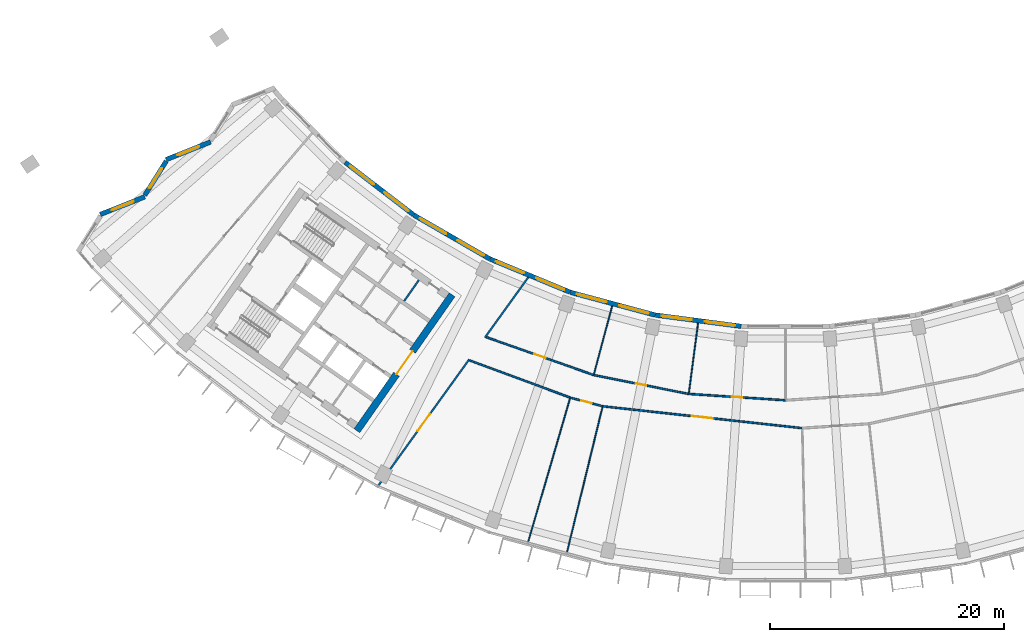
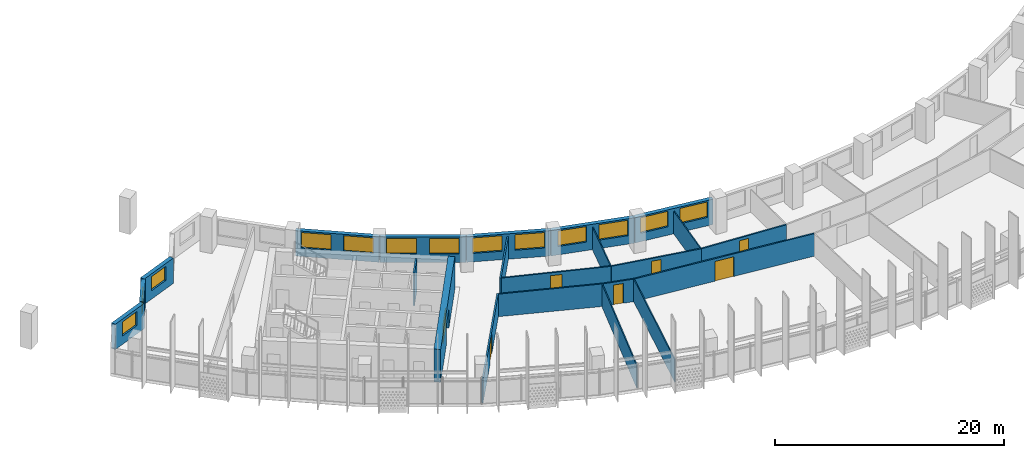
# One storey, part 4 of 26: 22 walls, 13 windows, 7 doors, 20 openings.
"""IFC4 building model written with IfcOpenShell, lengths in metres."""

from ifc_helpers import new_model, si_unit, direction, frame, frame_2d, origin, place, context, subcontext, project, spatial, rectangle, extrude, material, layer, layer_set, type_object, element, fill, save


model = new_model("IFC4")

# Units and contexts
model_context = context("Model", 3, precision=1e-05, world=origin(), true_north=direction((0.0, 1.0)))
body_context = subcontext(model_context, "Body", "Model", "MODEL_VIEW")
ifc_project = project(units=[si_unit("LENGTHUNIT", "METRE"), si_unit("AREAUNIT", "SQUARE_METRE"), si_unit("VOLUMEUNIT", "CUBIC_METRE"), si_unit("PLANEANGLEUNIT", "RADIAN"), si_unit("MASSUNIT", "GRAM", prefix="KILO")], contexts=[model_context])

# Site, building, storey
site_placement = place(None, origin())
site = spatial("IfcSite", under=ifc_project, at=site_placement, CompositionType="ELEMENT")
building_placement = place(site_placement, origin())
building = spatial("IfcBuilding", under=site, at=building_placement, Name="Qamariyya Broadcast Tower", CompositionType="ELEMENT")
storey_placement = place(building_placement, frame((0.0, 0.0, 156.89990234375)))
storey = spatial("IfcBuildingStorey", under=building, at=storey_placement, Name="L36", CompositionType="ELEMENT", Elevation=156.89990234375)

# Wall, opening, door
ifc_material_1 = material(Name="Concrete C60/75", Category="concrete")
ifc_layer_1 = layer(ifc_material_1, 0.60009765625)
ifc_layer_set_1 = layer_set([ifc_layer_1], Name="Core wall 600 mm Concrete C60/75")
wall_type_1 = type_object("IfcWallType", Name="Core wall 600 mm Concrete C60/75", PredefinedType="SHEAR", material=ifc_layer_set_1)
wall_1_placement = place(storey_placement, frame((-36.66748046875, -66.005126953125, 0.0), z_axis=(0.0, 0.0, 1.0), x_axis=(0.573568499524, 0.819157601658, 0.0)))
wall_1 = element("IfcWall", 1, at=wall_1_placement, inside=storey, type_object=wall_type_1, Name="k-W-L36-WA", PredefinedType="SHEAR", context=body_context, shape_type="SweptSolid", body=[
    extrude(rectangle(XDim=14.19970703125, YDim=0.60009765625, at=frame_2d((7.099853515625, 0.0))), origin(), (0.0, 0.0, 1.0), 3.5),
])
opening_1_placement = place(wall_1_placement, frame((5.89990234375, 0.0, 0.0)))
opening_1 = element("IfcOpeningElement", 2, at=opening_1_placement, cuts=wall_1, Name="Opening KD3-W1", PredefinedType="OPENING", context=body_context, shape_type="SweptSolid", body=[
    extrude(rectangle(XDim=2.39990234375, YDim=2.10009765625, at=frame_2d((1.199951171875, 1.050048828125))), frame((0.0, 0.31005859375, 0.0), z_axis=(0.0, -1.0, 0.0), x_axis=(1.0, 0.0, 0.0)), (0.0, 0.0, 1.0), 0.6201171875),
])
ifc_material_2 = material(Name="Steel fire-resisting door leaf", Category="steel")
door_type_1 = type_object("IfcDoorType", Name="Lift lobby door KD3", OperationType="DOUBLE_DOOR_SINGLE_SWING", PredefinedType="DOOR", material=ifc_material_2)
door_1_placement = place(opening_1_placement, origin())
door_1 = element("IfcDoor", 3, at=door_1_placement, inside=storey, type_object=door_type_1, Name="k-W-L36-WA-D1", OperationType="DOUBLE_DOOR_SINGLE_SWING", OverallHeight=2.10009765625, OverallWidth=2.39990234375, PredefinedType="DOOR", context=body_context, shape_type="SweptSolid", body=[
    extrude(rectangle(XDim=2.39990234375, YDim=2.10009765625, at=frame_2d((1.199951171875, 1.050048828125))), frame((0.0, 0.02490234375, 0.0), z_axis=(0.0, -1.0, 0.0), x_axis=(1.0, 0.0, 0.0)), (0.0, 0.0, 1.0), 0.050048828125),
])
fill(opening_1, door_1)

ifc_material_3 = material(Name="Gypsum board partition")
ifc_layer_2 = layer(ifc_material_3, 0.14990234375)
ifc_layer_set_2 = layer_set([ifc_layer_2], Name="Corridor partition 150 EI 60")
wall_type_2 = type_object("IfcWallType", Name="Corridor partition 150 EI 60", PredefinedType="PARTITIONING", material=ifc_layer_set_2)
wall_2_placement = place(storey_placement, frame((-27.056884765625, -59.899169921875, 0.0), z_axis=(0.0, 0.0, 1.0), x_axis=(-0.584166374063, -0.81163393683, 0.0)))
wall_2 = element("IfcWall", 4, at=wall_2_placement, inside=storey, type_object=wall_type_2, Name="Partition L36-002", PredefinedType="PARTITIONING", context=body_context, shape_type="SweptSolid", body=[
    extrude(rectangle(XDim=13.296142578125, YDim=0.14990234375, at=frame_2d((6.64794921875, 0.0))), origin(), (0.0, 0.0, 1.0), 2.400146484375),
])
opening_2_placement = place(wall_2_placement, frame((5.748046875, 0.0, 0.0)))
opening_2 = element("IfcOpeningElement", 5, at=opening_2_placement, cuts=wall_2, Name="Opening L36-D01", PredefinedType="OPENING", context=body_context, shape_type="SweptSolid", body=[
    extrude(rectangle(XDim=1.800048828125, YDim=2.10009765625, at=frame_2d((0.89990234375, 1.050048828125))), frame((0.0, 0.0849609375, 0.0), z_axis=(0.0, -1.0, 0.0), x_axis=(1.0, 0.0, 0.0)), (0.0, 0.0, 1.0), 0.169921875),
])
ifc_material_4 = material(Name="Timber fire door leaf", Category="wood")
door_type_2 = type_object("IfcDoorType", Name="Double fire door 1800 x 2100 FD60", OperationType="NOTDEFINED", PredefinedType="DOOR", material=ifc_material_4)
door_2_placement = place(opening_2_placement, origin())
door_2 = element("IfcDoor", 6, at=door_2_placement, inside=storey, type_object=door_type_2, Name="Door L36-D01", OperationType="DOUBLE_DOOR_SINGLE_SWING", OverallHeight=2.10009765625, OverallWidth=1.800048828125, PredefinedType="DOOR", context=body_context, shape_type="SweptSolid", body=[
    extrude(rectangle(XDim=1.800048828125, YDim=2.10009765625, at=frame_2d((0.89990234375, 1.050048828125))), frame((0.0, 0.02490234375, 0.0), z_axis=(0.0, -1.0, 0.0), x_axis=(1.0, 0.0, 0.0)), (0.0, 0.0, 1.0), 0.050048828125),
])
fill(opening_2, door_2)

# Wall
wall_3_placement = place(storey_placement, frame((-27.0302734375, -59.98583984375, 0.0), z_axis=(0.0, 0.0, 1.0), x_axis=(0.93796819355, -0.346721311557, 0.0)))
element("IfcWall", 7, at=wall_3_placement, inside=storey, type_object=wall_type_2, Name="Partition L36-003", PredefinedType="PARTITIONING", context=body_context, shape_type="SweptSolid", body=[
    extrude(rectangle(XDim=9.185546875, YDim=0.14990234375, at=frame_2d((4.5927734375, 0.0))), origin(), (0.0, 0.0, 1.0), 2.400146484375),
])

# Wall, opening, door
wall_4_placement = place(storey_placement, frame((-25.598388671875, -57.99609375, 0.0), z_axis=(0.0, 0.0, 1.0), x_axis=(0.942977382292, -0.332856810785, 0.0)))
wall_4 = element("IfcWall", 8, at=wall_4_placement, inside=storey, type_object=wall_type_2, Name="Partition L36-004", PredefinedType="PARTITIONING", context=body_context, shape_type="SweptSolid", body=[
    extrude(rectangle(XDim=9.744873046875, YDim=0.14990234375, at=frame_2d((4.87255859375, 0.0))), origin(), (0.0, 0.0, 1.0), 2.400146484375),
])
opening_3_placement = place(wall_4_placement, frame((4.37255859375, 0.0, 0.0)))
opening_3 = element("IfcOpeningElement", 9, at=opening_3_placement, cuts=wall_4, Name="Opening L36-D07", PredefinedType="OPENING", context=body_context, shape_type="SweptSolid", body=[
    extrude(rectangle(XDim=1.0, YDim=2.10009765625, at=frame_2d((0.5, 1.050048828125))), frame((0.0, 0.0849609375, 0.0), z_axis=(0.0, -1.0, 0.0), x_axis=(1.0, 0.0, 0.0)), (0.0, 0.0, 1.0), 0.169921875),
])
door_type_3 = type_object("IfcDoorType", Name="Fire door 1000 x 2100 FD60", OperationType="NOTDEFINED", PredefinedType="DOOR", material=ifc_material_4)
door_3_placement = place(opening_3_placement, origin())
door_3 = element("IfcDoor", 10, at=door_3_placement, inside=storey, type_object=door_type_3, Name="Door L36-D07", OperationType="SINGLE_SWING_RIGHT", OverallHeight=2.10009765625, OverallWidth=1.0, PredefinedType="DOOR", context=body_context, shape_type="SweptSolid", body=[
    extrude(rectangle(XDim=1.0, YDim=2.10009765625, at=frame_2d((0.5, 1.050048828125))), frame((0.0, 0.02490234375, 0.0), z_axis=(0.0, -1.0, 0.0), x_axis=(1.0, 0.0, 0.0)), (0.0, 0.0, 1.0), 0.050048828125),
])
fill(opening_3, door_3)

# Wall
wall_5_placement = place(storey_placement, frame((-22.0, -52.873046875, 0.0), z_axis=(0.0, 0.0, 1.0), x_axis=(-0.58417014289, -0.811631224236, 0.0)))
element("IfcWall", 11, at=wall_5_placement, inside=storey, type_object=wall_type_2, Name="Partition L36-006", PredefinedType="PARTITIONING", context=body_context, shape_type="SweptSolid", body=[
    extrude(rectangle(XDim=6.356201171875, YDim=0.14990234375, at=frame_2d((3.17822265625, 0.0))), origin(), (0.0, 0.0, 1.0), 2.400146484375),
])

# Wall, opening, door
wall_6_placement = place(storey_placement, frame((-15.637939453125, -63.914794921875, 0.0), z_axis=(0.0, 0.0, 1.0), x_axis=(-0.965912791771, 0.258867685687, 0.0)))
wall_6 = element("IfcWall", 12, at=wall_6_placement, inside=storey, type_object=wall_type_2, Name="Partition L36-008", PredefinedType="PARTITIONING", context=body_context, shape_type="SweptSolid", body=[
    extrude(rectangle(XDim=2.87451171875, YDim=0.14990234375, at=frame_2d((1.437255859375, 0.0))), origin(), (0.0, 0.0, 1.0), 2.400146484375),
])
opening_4_placement = place(wall_6_placement, frame((0.9873046875, 0.0, 0.0)))
opening_4 = element("IfcOpeningElement", 13, at=opening_4_placement, cuts=wall_6, Name="Opening L36-D02", PredefinedType="OPENING", context=body_context, shape_type="SweptSolid", body=[
    extrude(rectangle(XDim=0.89990234375, YDim=2.10009765625, at=frame_2d((0.449951171875, 1.050048828125))), frame((0.0, 0.0849609375, 0.0), z_axis=(0.0, -1.0, 0.0), x_axis=(1.0, 0.0, 0.0)), (0.0, 0.0, 1.0), 0.169921875),
])
door_type_4 = type_object("IfcDoorType", Name="Fire door 900 x 2100 FD60", OperationType="NOTDEFINED", PredefinedType="DOOR", material=ifc_material_4)
door_4_placement = place(opening_4_placement, origin())
door_4 = element("IfcDoor", 14, at=door_4_placement, inside=storey, type_object=door_type_4, Name="Door L36-D02", OperationType="SINGLE_SWING_RIGHT", OverallHeight=2.10009765625, OverallWidth=0.89990234375, PredefinedType="DOOR", context=body_context, shape_type="SweptSolid", body=[
    extrude(rectangle(XDim=0.89990234375, YDim=2.10009765625, at=frame_2d((0.449951171875, 1.050048828125))), frame((0.0, 0.02490234375, 0.0), z_axis=(0.0, -1.0, 0.0), x_axis=(1.0, 0.0, 0.0)), (0.0, 0.0, 1.0), 0.050048828125),
])
fill(opening_4, door_4)

wall_7_placement = place(storey_placement, frame((-16.4091796875, -61.23974609375, 0.0), z_axis=(0.0, 0.0, 1.0), x_axis=(0.98078508005, -0.195091329256, 0.0)))
wall_7 = element("IfcWall", 15, at=wall_7_placement, inside=storey, type_object=wall_type_2, Name="Partition L36-009", PredefinedType="PARTITIONING", context=body_context, shape_type="SweptSolid", body=[
    extrude(rectangle(XDim=8.293212890625, YDim=0.14990234375, at=frame_2d((4.146484375, 0.0))), origin(), (0.0, 0.0, 1.0), 2.400146484375),
])
opening_5_placement = place(wall_7_placement, frame((3.696533203125, 0.0, 0.0)))
opening_5 = element("IfcOpeningElement", 16, at=opening_5_placement, cuts=wall_7, Name="Opening L36-D08", PredefinedType="OPENING", context=body_context, shape_type="SweptSolid", body=[
    extrude(rectangle(XDim=0.89990234375, YDim=2.10009765625, at=frame_2d((0.449951171875, 1.050048828125))), frame((0.0, 0.0849609375, 0.0), z_axis=(0.0, -1.0, 0.0), x_axis=(1.0, 0.0, 0.0)), (0.0, 0.0, 1.0), 0.169921875),
])
door_5_placement = place(opening_5_placement, origin())
door_5 = element("IfcDoor", 17, at=door_5_placement, inside=storey, type_object=door_type_4, Name="Door L36-D08", OperationType="SINGLE_SWING_RIGHT", OverallHeight=2.10009765625, OverallWidth=0.89990234375, PredefinedType="DOOR", context=body_context, shape_type="SweptSolid", body=[
    extrude(rectangle(XDim=0.89990234375, YDim=2.10009765625, at=frame_2d((0.449951171875, 1.050048828125))), frame((0.0, 0.02490234375, 0.0), z_axis=(0.0, -1.0, 0.0), x_axis=(1.0, 0.0, 0.0)), (0.0, 0.0, 1.0), 0.050048828125),
])
fill(opening_5, door_5)

wall_8_placement = place(storey_placement, frame((1.437255859375, -65.7841796875, 0.0), z_axis=(0.0, 0.0, 1.0), x_axis=(-0.99406045317, 0.108829294966, 0.0)))
wall_8 = element("IfcWall", 18, at=wall_8_placement, inside=storey, type_object=wall_type_2, Name="Partition L36-010", PredefinedType="PARTITIONING", context=body_context, shape_type="SweptSolid", body=[
    extrude(rectangle(XDim=17.17724609375, YDim=0.14990234375, at=frame_2d((8.588623046875, 0.0))), origin(), (0.0, 0.0, 1.0), 2.400146484375),
])
opening_6_placement = place(wall_8_placement, frame((7.688720703125, 0.0, 0.0)))
opening_6 = element("IfcOpeningElement", 19, at=opening_6_placement, cuts=wall_8, Name="Opening L36-D03", PredefinedType="OPENING", context=body_context, shape_type="SweptSolid", body=[
    extrude(rectangle(XDim=1.800048828125, YDim=2.10009765625, at=frame_2d((0.89990234375, 1.050048828125))), frame((0.0, 0.0849609375, 0.0), z_axis=(0.0, -1.0, 0.0), x_axis=(1.0, 0.0, 0.0)), (0.0, 0.0, 1.0), 0.169921875),
])
door_6_placement = place(opening_6_placement, origin())
door_6 = element("IfcDoor", 20, at=door_6_placement, inside=storey, type_object=door_type_2, Name="Door L36-D03", OperationType="DOUBLE_DOOR_SINGLE_SWING", OverallHeight=2.10009765625, OverallWidth=1.800048828125, PredefinedType="DOOR", context=body_context, shape_type="SweptSolid", body=[
    extrude(rectangle(XDim=1.800048828125, YDim=2.10009765625, at=frame_2d((0.89990234375, 1.050048828125))), frame((0.0, 0.02490234375, 0.0), z_axis=(0.0, -1.0, 0.0), x_axis=(1.0, 0.0, 0.0)), (0.0, 0.0, 1.0), 0.050048828125),
])
fill(opening_6, door_6)

wall_9_placement = place(storey_placement, frame((-8.275390625, -62.857666015625, 0.0), z_axis=(0.0, 0.0, 1.0), x_axis=(0.997860193426, -0.065383747038, 0.0)))
wall_9 = element("IfcWall", 21, at=wall_9_placement, inside=storey, type_object=wall_type_2, Name="Partition L36-012", PredefinedType="PARTITIONING", context=body_context, shape_type="SweptSolid", body=[
    extrude(rectangle(XDim=8.293212890625, YDim=0.14990234375, at=frame_2d((4.146484375, 0.0))), origin(), (0.0, 0.0, 1.0), 2.400146484375),
])
opening_7_placement = place(wall_9_placement, frame((3.696533203125, 0.0, 0.0)))
opening_7 = element("IfcOpeningElement", 22, at=opening_7_placement, cuts=wall_9, Name="Opening L36-D09", PredefinedType="OPENING", context=body_context, shape_type="SweptSolid", body=[
    extrude(rectangle(XDim=0.89990234375, YDim=2.10009765625, at=frame_2d((0.449951171875, 1.050048828125))), frame((0.0, 0.0849609375, 0.0), z_axis=(0.0, -1.0, 0.0), x_axis=(1.0, 0.0, 0.0)), (0.0, 0.0, 1.0), 0.169921875),
])
door_7_placement = place(opening_7_placement, origin())
door_7 = element("IfcDoor", 23, at=door_7_placement, inside=storey, type_object=door_type_4, Name="Door L36-D09", OperationType="SINGLE_SWING_RIGHT", OverallHeight=2.10009765625, OverallWidth=0.89990234375, PredefinedType="DOOR", context=body_context, shape_type="SweptSolid", body=[
    extrude(rectangle(XDim=0.89990234375, YDim=2.10009765625, at=frame_2d((0.449951171875, 1.050048828125))), frame((0.0, 0.02490234375, 0.0), z_axis=(0.0, -1.0, 0.0), x_axis=(1.0, 0.0, 0.0)), (0.0, 0.0, 1.0), 0.050048828125),
])
fill(opening_7, door_7)

# Walls
ifc_material_5 = material(Name="Gypsum board partition on steel studs", Category="steel")
ifc_layer_3 = layer(ifc_material_5, 0.14990234375)
ifc_layer_set_3 = layer_set([ifc_layer_3], Name="Gypsum board partition 150 mm")
wall_type_3 = type_object("IfcWallType", Name="Gypsum board partition 150 mm", PredefinedType="PARTITIONING", material=ifc_layer_set_3)
wall_10_placement = place(storey_placement, frame((-32.627197265625, -54.91748046875, 0.0), z_axis=(0.0, 0.0, 1.0), x_axis=(0.573507030513, 0.819200638399, 0.0)))
element("IfcWall", 24, at=wall_10_placement, inside=storey, type_object=wall_type_3, Name="k-W-L36-NP275", PredefinedType="PARTITIONING", context=body_context, shape_type="SweptSolid", body=[
    extrude(rectangle(XDim=2.199951171875, YDim=0.14990234375, at=frame_2d((1.10009765625, 0.0))), origin(), (0.0, 0.0, 1.0), 3.5),
])
ifc_layer_4 = layer(ifc_material_3, 0.10009765625)
ifc_layer_set_4 = layer_set([ifc_layer_4], Name="Partition 100")
wall_type_4 = type_object("IfcWallType", Name="Partition 100", PredefinedType="PARTITIONING", material=ifc_layer_set_4)
wall_11_placement = place(storey_placement, frame((-22.010498046875, -75.507080078125, 0.0), z_axis=(0.0, 0.0, 1.0), x_axis=(0.279843682865, 0.960045578689, 0.0)))
element("IfcWall", 25, at=wall_11_placement, inside=storey, type_object=wall_type_4, Name="Partition L36-005", PredefinedType="PARTITIONING", context=body_context, shape_type="SweptSolid", body=[
    extrude(rectangle(XDim=12.77490234375, YDim=0.10009765625, at=frame_2d((6.387451171875, 0.0))), origin(), (0.0, 0.0, 1.0), 2.400146484375),
])
wall_12_placement = place(storey_placement, frame((-18.69189453125, -76.396240234375, 0.0), z_axis=(0.0, 0.0, 1.0), x_axis=(0.237667084027, 0.971346671982, 0.0)))
element("IfcWall", 26, at=wall_12_placement, inside=storey, type_object=wall_type_4, Name="Partition L36-007", PredefinedType="PARTITIONING", context=body_context, shape_type="SweptSolid", body=[
    extrude(rectangle(XDim=12.774658203125, YDim=0.10009765625, at=frame_2d((6.38720703125, 0.0))), origin(), (0.0, 0.0, 1.0), 2.400146484375),
])
for number, where, z_axis, x_axis, name in (
    (27, (-14.82470703125, -55.326171875, 0.0), (0.0, 0.0, 1.0), (-0.258793263352, -0.965932734119, 0.0), "Partition L36-011"),
    (28, (-7.476318359375, -56.787841796875, 0.0), (0.0, 0.0, 1.0), (-0.130526573864, -0.991444811129, 0.0), "Partition L36-013"),
):
    element("IfcWall", number, at=place(storey_placement, frame(where, z_axis=z_axis, x_axis=x_axis)), inside=storey, type_object=wall_type_4, Name=name, PredefinedType="PARTITIONING", context=body_context, shape_type="SweptSolid", body=[
        extrude(rectangle(XDim=6.047119140625, YDim=0.10009765625, at=frame_2d((3.0234375, 0.0))), origin(), (0.0, 0.0, 1.0), 2.400146484375),
    ])

# Wall, opening, window
ifc_material_6 = material(Name="Terracotta", Category="masonry")
ifc_layer_5 = layer(ifc_material_6, 0.39990234375)
ifc_layer_set_5 = layer_set([ifc_layer_5], Name="Terracotta clad wall 400")
wall_type_5 = type_object("IfcWallType", Name="Terracotta clad wall 400", PredefinedType="SOLIDWALL", material=ifc_layer_set_5)
wall_13_placement = place(storey_placement, frame((-49.18212890625, -41.295654296875, 0.0), z_axis=(0.0, 0.0, 1.0), x_axis=(-0.929605070415, -0.368557204596, 0.0)))
wall_13 = element("IfcWall", 29, at=wall_13_placement, inside=storey, type_object=wall_type_5, Name="e-wl-L36-capW2", PredefinedType="SOLIDWALL", context=body_context, shape_type="SweptSolid", body=[
    extrude(rectangle(XDim=4.087890625, YDim=0.39990234375, at=frame_2d((2.0439453125, 0.0))), origin(), (0.0, 0.0, 1.0), 2.7001953125),
])
opening_8_placement = place(wall_13_placement, frame((1.0439453125, 0.0, 0.89990234375)))
opening_8 = element("IfcOpeningElement", 30, at=opening_8_placement, cuts=wall_13, Name="Opening W4", PredefinedType="OPENING", context=body_context, shape_type="SweptSolid", body=[
    extrude(rectangle(XDim=2.0, YDim=1.5, at=frame_2d((1.0, 0.75))), frame((0.0, 0.2099609375, 0.0), z_axis=(0.0, -1.0, 0.0), x_axis=(1.0, 0.0, 0.0)), (0.0, 0.0, 1.0), 0.419921875),
])
ifc_material_7 = material(Name="Clear low-e double glazed unit in aluminium frame", Category="aluminium")
window_type_1 = type_object("IfcWindowType", Name="Horn bay window 2000 x 1500", PartitioningType="SINGLE_PANEL", PredefinedType="WINDOW", material=ifc_material_7)
window_1_placement = place(opening_8_placement, origin())
window_1 = element("IfcWindow", 31, at=window_1_placement, inside=storey, type_object=window_type_1, Name="e-w-L36-capW2", OverallHeight=1.5, OverallWidth=2.0, PartitioningType="SINGLE_PANEL", PredefinedType="WINDOW", context=body_context, shape_type="SweptSolid", body=[
    extrude(rectangle(XDim=2.0, YDim=1.5, at=frame_2d((1.0, 0.75))), frame((0.0, 0.030029296875, 0.0), z_axis=(0.0, -1.0, 0.0), x_axis=(1.0, 0.0, 0.0)), (0.0, 0.0, 1.0), 0.06005859375),
])
fill(opening_8, window_1)

wall_14_placement = place(storey_placement, frame((-52.98486328125, -42.93994140625, 0.0), z_axis=(0.0, 0.0, 1.0), x_axis=(-0.531867607217, -0.846827519861, 0.0)))
wall_14 = element("IfcWall", 32, at=wall_14_placement, inside=storey, type_object=wall_type_5, Name="e-wl-L36-capW3", PredefinedType="SOLIDWALL", context=body_context, shape_type="SweptSolid", body=[
    extrude(rectangle(XDim=3.4384765625, YDim=0.39990234375, at=frame_2d((1.71923828125, 0.0))), origin(), (0.0, 0.0, 1.0), 2.7001953125),
])
opening_9_placement = place(wall_14_placement, frame((0.71923828125, 0.0, 0.89990234375)))
opening_9 = element("IfcOpeningElement", 33, at=opening_9_placement, cuts=wall_14, Name="Opening W4", PredefinedType="OPENING", context=body_context, shape_type="SweptSolid", body=[
    extrude(rectangle(XDim=2.0, YDim=1.5, at=frame_2d((1.0, 0.75))), frame((0.0, 0.2099609375, 0.0), z_axis=(0.0, -1.0, 0.0), x_axis=(1.0, 0.0, 0.0)), (0.0, 0.0, 1.0), 0.419921875),
])
window_2_placement = place(opening_9_placement, origin())
window_2 = element("IfcWindow", 34, at=window_2_placement, inside=storey, type_object=window_type_1, Name="e-w-L36-capW3", OverallHeight=1.5, OverallWidth=2.0, PartitioningType="SINGLE_PANEL", PredefinedType="WINDOW", context=body_context, shape_type="SweptSolid", body=[
    extrude(rectangle(XDim=2.0, YDim=1.5, at=frame_2d((1.0, 0.75))), frame((0.0, 0.030029296875, 0.0), z_axis=(0.0, -1.0, 0.0), x_axis=(1.0, 0.0, 0.0)), (0.0, 0.0, 1.0), 0.06005859375),
])
fill(opening_9, window_2)

wall_15_placement = place(storey_placement, frame((-54.81640625, -45.989501953125, 0.0), z_axis=(0.0, 0.0, 1.0), x_axis=(-0.929576139559, -0.368630168003, 0.0)))
wall_15 = element("IfcWall", 35, at=wall_15_placement, inside=storey, type_object=wall_type_5, Name="e-wl-L36-capW4", PredefinedType="SOLIDWALL", context=body_context, shape_type="SweptSolid", body=[
    extrude(rectangle(XDim=4.0888671875, YDim=0.39990234375, at=frame_2d((2.04443359375, 0.0))), origin(), (0.0, 0.0, 1.0), 2.7001953125),
])
opening_10_placement = place(wall_15_placement, frame((1.04443359375, 0.0, 0.89990234375)))
opening_10 = element("IfcOpeningElement", 36, at=opening_10_placement, cuts=wall_15, Name="Opening W4", PredefinedType="OPENING", context=body_context, shape_type="SweptSolid", body=[
    extrude(rectangle(XDim=2.0, YDim=1.5, at=frame_2d((1.0, 0.75))), frame((0.0, 0.2099609375, 0.0), z_axis=(0.0, -1.0, 0.0), x_axis=(1.0, 0.0, 0.0)), (0.0, 0.0, 1.0), 0.419921875),
])
window_3_placement = place(opening_10_placement, origin())
window_3 = element("IfcWindow", 37, at=window_3_placement, inside=storey, type_object=window_type_1, Name="e-w-L36-capW4", OverallHeight=1.5, OverallWidth=2.0, PartitioningType="SINGLE_PANEL", PredefinedType="WINDOW", context=body_context, shape_type="SweptSolid", body=[
    extrude(rectangle(XDim=2.0, YDim=1.5, at=frame_2d((1.0, 0.75))), frame((0.0, 0.030029296875, 0.0), z_axis=(0.0, -1.0, 0.0), x_axis=(1.0, 0.0, 0.0)), (0.0, 0.0, 1.0), 0.06005859375),
])
fill(opening_10, window_3)

# Wall, openings, windows
wall_16_placement = place(storey_placement, frame((-31.819091796875, -47.529541015625, 0.0), z_axis=(0.0, 0.0, 1.0), x_axis=(-0.79334647843, 0.608770371457, 0.0)))
wall_16 = element("IfcWall", 38, at=wall_16_placement, inside=storey, type_object=wall_type_5, Name="e-wl-L36-in20", PredefinedType="SOLIDWALL", context=body_context, shape_type="SweptSolid", body=[
    extrude(rectangle(XDim=7.380615234375, YDim=0.39990234375, at=frame_2d((3.6904296875, 0.0))), origin(), (0.0, 0.0, 1.0), 2.7001953125),
])
opening_11_placement = place(wall_16_placement, frame((4.25439453125, 0.0, 0.89990234375)))
opening_11 = element("IfcOpeningElement", 39, at=opening_11_placement, cuts=wall_16, Name="Opening W1", PredefinedType="OPENING", context=body_context, shape_type="SweptSolid", body=[
    extrude(rectangle(XDim=2.60009765625, YDim=1.64990234375, at=frame_2d((1.300048828125, 0.824951171875))), frame((0.0, 0.2099609375, 0.0), z_axis=(0.0, -1.0, 0.0), x_axis=(1.0, 0.0, 0.0)), (0.0, 0.0, 1.0), 0.419921875),
])
opening_12_placement = place(wall_16_placement, frame((0.5263671875, 0.0, 0.89990234375)))
opening_12 = element("IfcOpeningElement", 40, at=opening_12_placement, cuts=wall_16, Name="Opening W1", PredefinedType="OPENING", context=body_context, shape_type="SweptSolid", body=[
    extrude(rectangle(XDim=2.60009765625, YDim=1.64990234375, at=frame_2d((1.300048828125, 0.824951171875))), frame((0.0, 0.2099609375, 0.0), z_axis=(0.0, -1.0, 0.0), x_axis=(1.0, 0.0, 0.0)), (0.0, 0.0, 1.0), 0.419921875),
])
window_type_2 = type_object("IfcWindowType", Name="Ribbon window 2600 x 1650", PartitioningType="SINGLE_PANEL", PredefinedType="WINDOW", material=ifc_material_7)
window_4_placement = place(opening_11_placement, origin())
window_4 = element("IfcWindow", 41, at=window_4_placement, inside=storey, type_object=window_type_2, Name="e-w-L36-in02-0", OverallHeight=1.64990234375, OverallWidth=2.60009765625, PartitioningType="SINGLE_PANEL", PredefinedType="WINDOW", context=body_context, shape_type="SweptSolid", body=[
    extrude(rectangle(XDim=2.60009765625, YDim=1.64990234375, at=frame_2d((1.300048828125, 0.824951171875))), frame((0.0, 0.030029296875, 0.0), z_axis=(0.0, -1.0, 0.0), x_axis=(1.0, 0.0, 0.0)), (0.0, 0.0, 1.0), 0.06005859375),
])
fill(opening_11, window_4)
window_5_placement = place(opening_12_placement, origin())
window_5 = element("IfcWindow", 42, at=window_5_placement, inside=storey, type_object=window_type_2, Name="e-w-L36-in02-1", OverallHeight=1.64990234375, OverallWidth=2.60009765625, PartitioningType="SINGLE_PANEL", PredefinedType="WINDOW", context=body_context, shape_type="SweptSolid", body=[
    extrude(rectangle(XDim=2.60009765625, YDim=1.64990234375, at=frame_2d((1.300048828125, 0.824951171875))), frame((0.0, 0.030029296875, 0.0), z_axis=(0.0, -1.0, 0.0), x_axis=(1.0, 0.0, 0.0)), (0.0, 0.0, 1.0), 0.06005859375),
])
fill(opening_12, window_5)

wall_17_placement = place(storey_placement, frame((-25.27734375, -51.31396484375, 0.0), z_axis=(0.0, 0.0, 1.0), x_axis=(-0.866028517328, 0.499994607145, 0.0)))
wall_17 = element("IfcWall", 43, at=wall_17_placement, inside=storey, type_object=wall_type_5, Name="e-wl-L36-in30", PredefinedType="SOLIDWALL", context=body_context, shape_type="SweptSolid", body=[
    extrude(rectangle(XDim=7.5322265625, YDim=0.39990234375, at=frame_2d((3.76611328125, 0.0))), origin(), (0.0, 0.0, 1.0), 2.7001953125),
])
opening_13_placement = place(wall_17_placement, frame((4.330078125, 0.0, 0.89990234375)))
opening_13 = element("IfcOpeningElement", 44, at=opening_13_placement, cuts=wall_17, Name="Opening W1", PredefinedType="OPENING", context=body_context, shape_type="SweptSolid", body=[
    extrude(rectangle(XDim=2.60009765625, YDim=1.64990234375, at=frame_2d((1.300048828125, 0.824951171875))), frame((0.0, 0.2099609375, 0.0), z_axis=(0.0, -1.0, 0.0), x_axis=(1.0, 0.0, 0.0)), (0.0, 0.0, 1.0), 0.419921875),
])
opening_14_placement = place(wall_17_placement, frame((0.60205078125, 0.0, 0.89990234375)))
opening_14 = element("IfcOpeningElement", 45, at=opening_14_placement, cuts=wall_17, Name="Opening W1", PredefinedType="OPENING", context=body_context, shape_type="SweptSolid", body=[
    extrude(rectangle(XDim=2.60009765625, YDim=1.64990234375, at=frame_2d((1.300048828125, 0.824951171875))), frame((0.0, 0.2099609375, 0.0), z_axis=(0.0, -1.0, 0.0), x_axis=(1.0, 0.0, 0.0)), (0.0, 0.0, 1.0), 0.419921875),
])
window_6_placement = place(opening_13_placement, origin())
window_6 = element("IfcWindow", 46, at=window_6_placement, inside=storey, type_object=window_type_2, Name="e-w-L36-in03-0", OverallHeight=1.64990234375, OverallWidth=2.60009765625, PartitioningType="SINGLE_PANEL", PredefinedType="WINDOW", context=body_context, shape_type="SweptSolid", body=[
    extrude(rectangle(XDim=2.60009765625, YDim=1.64990234375, at=frame_2d((1.300048828125, 0.824951171875))), frame((0.0, 0.030029296875, 0.0), z_axis=(0.0, -1.0, 0.0), x_axis=(1.0, 0.0, 0.0)), (0.0, 0.0, 1.0), 0.06005859375),
])
fill(opening_13, window_6)
window_7_placement = place(opening_14_placement, origin())
window_7 = element("IfcWindow", 47, at=window_7_placement, inside=storey, type_object=window_type_2, Name="e-w-L36-in03-1", OverallHeight=1.64990234375, OverallWidth=2.60009765625, PartitioningType="SINGLE_PANEL", PredefinedType="WINDOW", context=body_context, shape_type="SweptSolid", body=[
    extrude(rectangle(XDim=2.60009765625, YDim=1.64990234375, at=frame_2d((1.300048828125, 0.824951171875))), frame((0.0, 0.030029296875, 0.0), z_axis=(0.0, -1.0, 0.0), x_axis=(1.0, 0.0, 0.0)), (0.0, 0.0, 1.0), 0.06005859375),
])
fill(opening_14, window_7)

wall_18_placement = place(storey_placement, frame((-18.433349609375, -54.1455078125, 0.0), z_axis=(0.0, 0.0, 1.0), x_axis=(-0.923867659443, 0.382712095229, 0.0)))
wall_18 = element("IfcWall", 48, at=wall_18_placement, inside=storey, type_object=wall_type_5, Name="e-wl-L36-in40", PredefinedType="SOLIDWALL", context=body_context, shape_type="SweptSolid", body=[
    extrude(rectangle(XDim=7.380859375, YDim=0.39990234375, at=frame_2d((3.6904296875, 0.0))), origin(), (0.0, 0.0, 1.0), 2.7001953125),
])
opening_15_placement = place(wall_18_placement, frame((4.25439453125, 0.0, 0.89990234375)))
opening_15 = element("IfcOpeningElement", 49, at=opening_15_placement, cuts=wall_18, Name="Opening W1", PredefinedType="OPENING", context=body_context, shape_type="SweptSolid", body=[
    extrude(rectangle(XDim=2.60009765625, YDim=1.64990234375, at=frame_2d((1.300048828125, 0.824951171875))), frame((0.0, 0.2099609375, 0.0), z_axis=(0.0, -1.0, 0.0), x_axis=(1.0, 0.0, 0.0)), (0.0, 0.0, 1.0), 0.419921875),
])
opening_16_placement = place(wall_18_placement, frame((0.5263671875, 0.0, 0.89990234375)))
opening_16 = element("IfcOpeningElement", 50, at=opening_16_placement, cuts=wall_18, Name="Opening W1", PredefinedType="OPENING", context=body_context, shape_type="SweptSolid", body=[
    extrude(rectangle(XDim=2.60009765625, YDim=1.64990234375, at=frame_2d((1.300048828125, 0.824951171875))), frame((0.0, 0.2099609375, 0.0), z_axis=(0.0, -1.0, 0.0), x_axis=(1.0, 0.0, 0.0)), (0.0, 0.0, 1.0), 0.419921875),
])
window_8_placement = place(opening_15_placement, origin())
window_8 = element("IfcWindow", 51, at=window_8_placement, inside=storey, type_object=window_type_2, Name="e-w-L36-in04-0", OverallHeight=1.64990234375, OverallWidth=2.60009765625, PartitioningType="SINGLE_PANEL", PredefinedType="WINDOW", context=body_context, shape_type="SweptSolid", body=[
    extrude(rectangle(XDim=2.60009765625, YDim=1.64990234375, at=frame_2d((1.300048828125, 0.824951171875))), frame((0.0, 0.030029296875, 0.0), z_axis=(0.0, -1.0, 0.0), x_axis=(1.0, 0.0, 0.0)), (0.0, 0.0, 1.0), 0.06005859375),
])
fill(opening_15, window_8)
window_9_placement = place(opening_16_placement, origin())
window_9 = element("IfcWindow", 52, at=window_9_placement, inside=storey, type_object=window_type_2, Name="e-w-L36-in04-1", OverallHeight=1.64990234375, OverallWidth=2.60009765625, PartitioningType="SINGLE_PANEL", PredefinedType="WINDOW", context=body_context, shape_type="SweptSolid", body=[
    extrude(rectangle(XDim=2.60009765625, YDim=1.64990234375, at=frame_2d((1.300048828125, 0.824951171875))), frame((0.0, 0.030029296875, 0.0), z_axis=(0.0, -1.0, 0.0), x_axis=(1.0, 0.0, 0.0)), (0.0, 0.0, 1.0), 0.06005859375),
])
fill(opening_16, window_9)

wall_19_placement = place(storey_placement, frame((-11.135009765625, -56.10791015625, 0.0), z_axis=(0.0, 0.0, 1.0), x_axis=(-0.965927073219, 0.258814391452, 0.0)))
wall_19 = element("IfcWall", 53, at=wall_19_placement, inside=storey, type_object=wall_type_5, Name="e-wl-L36-in50", PredefinedType="SOLIDWALL", context=body_context, shape_type="SweptSolid", body=[
    extrude(rectangle(XDim=7.5322265625, YDim=0.39990234375, at=frame_2d((3.76611328125, 0.0))), origin(), (0.0, 0.0, 1.0), 2.7001953125),
])
opening_17_placement = place(wall_19_placement, frame((4.330078125, 0.0, 0.89990234375)))
opening_17 = element("IfcOpeningElement", 54, at=opening_17_placement, cuts=wall_19, Name="Opening W1", PredefinedType="OPENING", context=body_context, shape_type="SweptSolid", body=[
    extrude(rectangle(XDim=2.60009765625, YDim=1.64990234375, at=frame_2d((1.300048828125, 0.824951171875))), frame((0.0, 0.2099609375, 0.0), z_axis=(0.0, -1.0, 0.0), x_axis=(1.0, 0.0, 0.0)), (0.0, 0.0, 1.0), 0.419921875),
])
opening_18_placement = place(wall_19_placement, frame((0.60205078125, 0.0, 0.89990234375)))
opening_18 = element("IfcOpeningElement", 55, at=opening_18_placement, cuts=wall_19, Name="Opening W1", PredefinedType="OPENING", context=body_context, shape_type="SweptSolid", body=[
    extrude(rectangle(XDim=2.60009765625, YDim=1.64990234375, at=frame_2d((1.300048828125, 0.824951171875))), frame((0.0, 0.2099609375, 0.0), z_axis=(0.0, -1.0, 0.0), x_axis=(1.0, 0.0, 0.0)), (0.0, 0.0, 1.0), 0.419921875),
])
window_10_placement = place(opening_17_placement, origin())
window_10 = element("IfcWindow", 56, at=window_10_placement, inside=storey, type_object=window_type_2, Name="e-w-L36-in05-0", OverallHeight=1.64990234375, OverallWidth=2.60009765625, PartitioningType="SINGLE_PANEL", PredefinedType="WINDOW", context=body_context, shape_type="SweptSolid", body=[
    extrude(rectangle(XDim=2.60009765625, YDim=1.64990234375, at=frame_2d((1.300048828125, 0.824951171875))), frame((0.0, 0.030029296875, 0.0), z_axis=(0.0, -1.0, 0.0), x_axis=(1.0, 0.0, 0.0)), (0.0, 0.0, 1.0), 0.06005859375),
])
fill(opening_17, window_10)
window_11_placement = place(opening_18_placement, origin())
window_11 = element("IfcWindow", 57, at=window_11_placement, inside=storey, type_object=window_type_2, Name="e-w-L36-in05-1", OverallHeight=1.64990234375, OverallWidth=2.60009765625, PartitioningType="SINGLE_PANEL", PredefinedType="WINDOW", context=body_context, shape_type="SweptSolid", body=[
    extrude(rectangle(XDim=2.60009765625, YDim=1.64990234375, at=frame_2d((1.300048828125, 0.824951171875))), frame((0.0, 0.030029296875, 0.0), z_axis=(0.0, -1.0, 0.0), x_axis=(1.0, 0.0, 0.0)), (0.0, 0.0, 1.0), 0.06005859375),
])
fill(opening_18, window_11)

wall_20_placement = place(storey_placement, frame((-3.79150390625, -57.0712890625, 0.0), z_axis=(0.0, 0.0, 1.0), x_axis=(-0.99144438474, 0.130529812564, 0.0)))
wall_20 = element("IfcWall", 58, at=wall_20_placement, inside=storey, type_object=wall_type_5, Name="e-wl-L36-in60", PredefinedType="SOLIDWALL", context=body_context, shape_type="SweptSolid", body=[
    extrude(rectangle(XDim=7.380615234375, YDim=0.39990234375, at=frame_2d((3.6904296875, 0.0))), origin(), (0.0, 0.0, 1.0), 2.7001953125),
])
opening_19_placement = place(wall_20_placement, frame((4.25439453125, 0.0, 0.89990234375)))
opening_19 = element("IfcOpeningElement", 59, at=opening_19_placement, cuts=wall_20, Name="Opening W1", PredefinedType="OPENING", context=body_context, shape_type="SweptSolid", body=[
    extrude(rectangle(XDim=2.60009765625, YDim=1.64990234375, at=frame_2d((1.300048828125, 0.824951171875))), frame((0.0, 0.2099609375, 0.0), z_axis=(0.0, -1.0, 0.0), x_axis=(1.0, 0.0, 0.0)), (0.0, 0.0, 1.0), 0.419921875),
])
opening_20_placement = place(wall_20_placement, frame((0.5263671875, 0.0, 0.89990234375)))
opening_20 = element("IfcOpeningElement", 60, at=opening_20_placement, cuts=wall_20, Name="Opening W1", PredefinedType="OPENING", context=body_context, shape_type="SweptSolid", body=[
    extrude(rectangle(XDim=2.60009765625, YDim=1.64990234375, at=frame_2d((1.300048828125, 0.824951171875))), frame((0.0, 0.2099609375, 0.0), z_axis=(0.0, -1.0, 0.0), x_axis=(1.0, 0.0, 0.0)), (0.0, 0.0, 1.0), 0.419921875),
])
window_12_placement = place(opening_19_placement, origin())
window_12 = element("IfcWindow", 61, at=window_12_placement, inside=storey, type_object=window_type_2, Name="e-w-L36-in06-0", OverallHeight=1.64990234375, OverallWidth=2.60009765625, PartitioningType="SINGLE_PANEL", PredefinedType="WINDOW", context=body_context, shape_type="SweptSolid", body=[
    extrude(rectangle(XDim=2.60009765625, YDim=1.64990234375, at=frame_2d((1.300048828125, 0.824951171875))), frame((0.0, 0.030029296875, 0.0), z_axis=(0.0, -1.0, 0.0), x_axis=(1.0, 0.0, 0.0)), (0.0, 0.0, 1.0), 0.06005859375),
])
fill(opening_19, window_12)
window_13_placement = place(opening_20_placement, origin())
window_13 = element("IfcWindow", 62, at=window_13_placement, inside=storey, type_object=window_type_2, Name="e-w-L36-in06-1", OverallHeight=1.64990234375, OverallWidth=2.60009765625, PartitioningType="SINGLE_PANEL", PredefinedType="WINDOW", context=body_context, shape_type="SweptSolid", body=[
    extrude(rectangle(XDim=2.60009765625, YDim=1.64990234375, at=frame_2d((1.300048828125, 0.824951171875))), frame((0.0, 0.030029296875, 0.0), z_axis=(0.0, -1.0, 0.0), x_axis=(1.0, 0.0, 0.0)), (0.0, 0.0, 1.0), 0.06005859375),
])
fill(opening_20, window_13)

save(model, "model.ifc")
